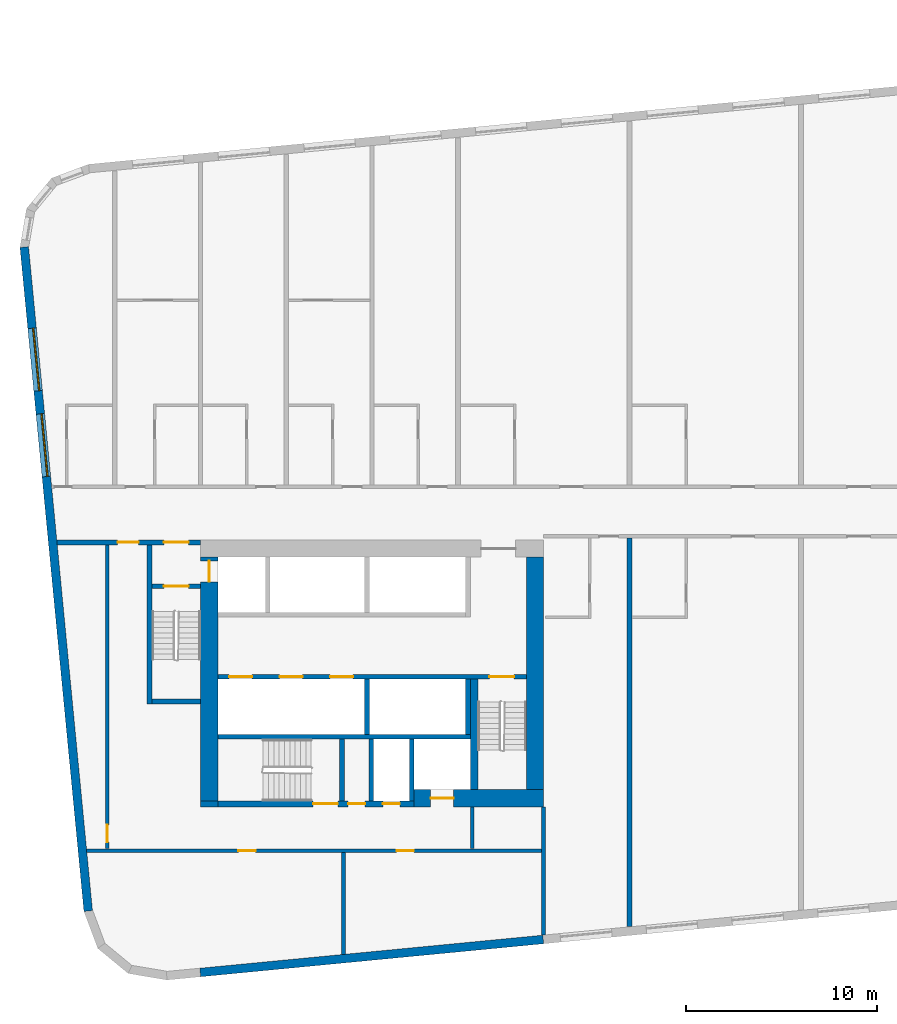
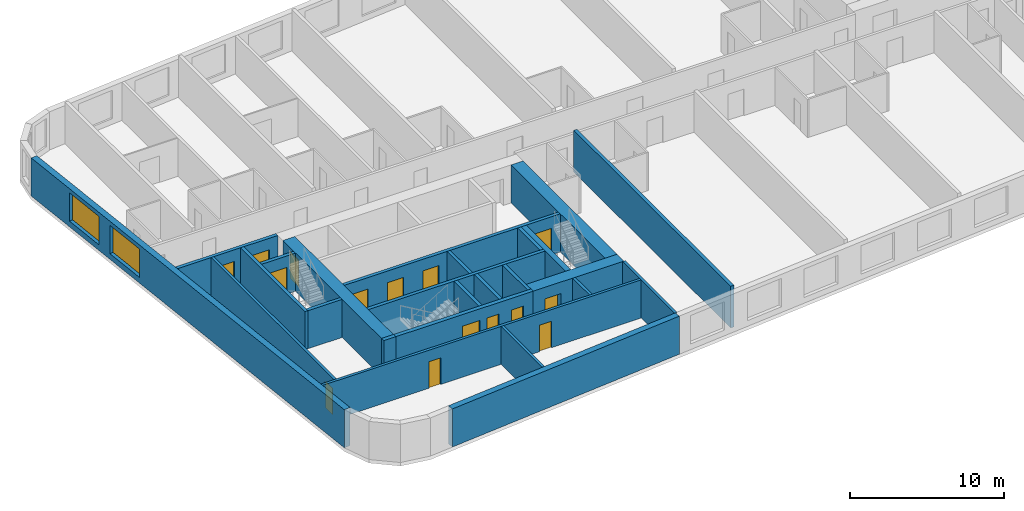
# One storey, part 2 of 12: 25 walls, 15 doors, 2 windows, 17 openings.
"""IFC4 building model written with IfcOpenShell, lengths in metres."""

from ifc_helpers import new_model, si_unit, direction, frame, frame_2d, origin, place, context, subcontext, project, spatial, rectangle, extrude, material, layer, layer_set, type_object, element, fill, save


model = new_model("IFC4")

# Units and contexts
model_context = context("Model", 3, precision=1e-05, world=origin(), true_north=direction((0.0, 1.0)))
body_context = subcontext(model_context, "Body", "Model", "MODEL_VIEW")
ifc_project = project(units=[si_unit("LENGTHUNIT", "METRE"), si_unit("AREAUNIT", "SQUARE_METRE"), si_unit("VOLUMEUNIT", "CUBIC_METRE"), si_unit("PLANEANGLEUNIT", "RADIAN"), si_unit("MASSUNIT", "GRAM", prefix="KILO")], contexts=[model_context])

# Site, building, storey
site_placement = place(None, origin())
site = spatial("IfcSite", under=ifc_project, at=site_placement, CompositionType="ELEMENT")
building_placement = place(site_placement, origin())
building = spatial("IfcBuilding", under=site, at=building_placement, Name="Kajstack Hotel Tower", CompositionType="ELEMENT")
storey_placement = place(building_placement, frame((0.0, 0.0, 124.0)))
storey = spatial("IfcBuildingStorey", under=building, at=storey_placement, Name="L27", CompositionType="ELEMENT", Elevation=124.0)

# Wall, opening, door
ifc_material_1 = material(Name="Concrete C60/75", Category="concrete")
ifc_layer_1 = layer(ifc_material_1, 0.89990234375)
ifc_layer_set_1 = layer_set([ifc_layer_1], Name="Core wall 900")
wall_type_1 = type_object("IfcWallType", Name="Core wall 900", PredefinedType="SHEAR", material=ifc_layer_set_1)
wall_1_placement = place(storey_placement, frame((-20.300048828125, -15.050048828125, 0.0), z_axis=(0.0, 0.0, 1.0), x_axis=(1.0, 0.0, 0.0)))
wall_1 = element("IfcWall", 1, at=wall_1_placement, inside=storey, type_object=wall_type_1, Name="Core wall W RS", PredefinedType="SHEAR", context=body_context, shape_type="SweptSolid", body=[
    extrude(rectangle(XDim=6.800048828125, YDim=0.89990234375, at=frame_2d((3.39990234375, 0.0))), origin(), (0.0, 0.0, 1.0), 3.02001953125),
])
opening_1_placement = place(wall_1_placement, frame((0.875, 0.0, 0.0)))
opening_1 = element("IfcOpeningElement", 2, at=opening_1_placement, cuts=wall_1, Name="Opening LD-SV1", PredefinedType="OPENING", context=body_context, shape_type="SweptSolid", body=[
    extrude(rectangle(XDim=1.199951171875, YDim=2.10009765625, at=frame_2d((0.60009765625, 1.050048828125))), frame((0.0, 0.4599609375, 0.0), z_axis=(0.0, -1.0, 0.0), x_axis=(1.0, 0.0, 0.0)), (0.0, 0.0, 1.0), 0.919921875),
])
ifc_material_2 = material(Name="Stainless steel", Category="steel")
door_type_1 = type_object("IfcDoorType", Name="Lift landing door 1200", OperationType="SLIDING_TO_LEFT", PredefinedType="DOOR", material=ifc_material_2)
door_1_placement = place(opening_1_placement, origin())
door_1 = element("IfcDoor", 3, at=door_1_placement, inside=storey, type_object=door_type_1, Name="Landing door SV1", OperationType="SLIDING_TO_LEFT", OverallHeight=2.10009765625, OverallWidth=1.199951171875, PredefinedType="DOOR", context=body_context, shape_type="SweptSolid", body=[
    extrude(rectangle(XDim=1.199951171875, YDim=2.10009765625, at=frame_2d((0.60009765625, 1.050048828125))), frame((0.0, 0.02490234375, 0.0), z_axis=(0.0, -1.0, 0.0), x_axis=(1.0, 0.0, 0.0)), (0.0, 0.0, 1.0), 0.050048828125),
])
fill(opening_1, door_1)

# Wall
wall_2_placement = place(storey_placement, frame((-31.5, -15.35009765625, 0.0), z_axis=(0.0, 0.0, 1.0), x_axis=(1.0, 0.0, 0.0)))
element("IfcWall", 4, at=wall_2_placement, inside=storey, type_object=wall_type_1, Name="Core wall W RSW", PredefinedType="SHEAR", context=body_context, shape_type="SweptSolid", body=[
    extrude(rectangle(XDim=0.89990234375, YDim=0.300048828125, at=frame_2d((0.449951171875, 0.0))), origin(), (0.0, 0.0, 1.0), 3.02001953125),
])

# Wall, opening, door
wall_3_placement = place(storey_placement, frame((-31.050048828125, -15.199951171875, 0.0), z_axis=(0.0, 0.0, 1.0), x_axis=(0.0, 1.0, 0.0)))
wall_3 = element("IfcWall", 5, at=wall_3_placement, inside=storey, type_object=wall_type_1, Name="Core wall W RW", PredefinedType="SHEAR", context=body_context, shape_type="SweptSolid", body=[
    extrude(rectangle(XDim=12.800048828125, YDim=0.89990234375, at=frame_2d((6.39990234375, 0.0))), origin(), (0.0, 0.0, 1.0), 3.02001953125),
])
opening_2_placement = place(wall_3_placement, frame((11.5, 0.0, 0.0)))
opening_2 = element("IfcOpeningElement", 6, at=opening_2_placement, cuts=wall_3, Name="Opening LD-FF1", PredefinedType="OPENING", context=body_context, shape_type="SweptSolid", body=[
    extrude(rectangle(XDim=1.10009765625, YDim=2.10009765625, at=frame_2d((0.550048828125, 1.050048828125))), frame((0.0, 0.4599609375, 0.0), z_axis=(0.0, -1.0, 0.0), x_axis=(1.0, 0.0, 0.0)), (0.0, 0.0, 1.0), 0.919921875),
])
door_type_2 = type_object("IfcDoorType", Name="Fire-fighting lift landing door 1100", OperationType="SLIDING_TO_LEFT", PredefinedType="DOOR", material=ifc_material_2)
door_2_placement = place(opening_2_placement, origin())
door_2 = element("IfcDoor", 7, at=door_2_placement, inside=storey, type_object=door_type_2, Name="Landing door FF1", OperationType="SLIDING_TO_RIGHT", OverallHeight=2.10009765625, OverallWidth=1.10009765625, PredefinedType="DOOR", context=body_context, shape_type="SweptSolid", body=[
    extrude(rectangle(XDim=1.10009765625, YDim=2.10009765625, at=frame_2d((0.550048828125, 1.050048828125))), frame((0.0, 0.02490234375, 0.0), z_axis=(0.0, -1.0, 0.0), x_axis=(1.0, 0.0, 0.0)), (0.0, 0.0, 1.0), 0.050048828125),
])
fill(opening_2, door_2)

# Walls
wall_4_placement = place(storey_placement, frame((-13.949951171875, -14.60009765625, 0.0), z_axis=(0.0, 0.0, 1.0), x_axis=(0.0, 1.0, 0.0)))
element("IfcWall", 8, at=wall_4_placement, inside=storey, type_object=wall_type_1, Name="Core wall W RE", PredefinedType="SHEAR", context=body_context, shape_type="SweptSolid", body=[
    extrude(rectangle(XDim=12.2001953125, YDim=0.89990234375, at=frame_2d((6.10009765625, 0.0))), origin(), (0.0, 0.0, 1.0), 3.02001953125),
])
ifc_material_3 = material(Name="Twin-frame gypsum board on steel studs, mineral wool", Category="steel")
ifc_layer_2 = layer(ifc_material_3, 0.199951171875)
ifc_layer_set_2 = layer_set([ifc_layer_2], Name="Demising wall 200")
wall_type_2 = type_object("IfcWallType", Name="Demising wall 200", PredefinedType="PARTITIONING", material=ifc_layer_set_2)
wall_5_placement = place(storey_placement, frame((-13.5, -22.23193359375, 0.0), z_axis=(0.0, 0.0, 1.0), x_axis=(0.0, 1.0, 0.0)))
element("IfcWall", 9, at=wall_5_placement, inside=storey, type_object=wall_type_2, Name="G-wall-L27-002", PredefinedType="PARTITIONING", context=body_context, shape_type="SweptSolid", body=[
    extrude(rectangle(XDim=6.73193359375, YDim=0.199951171875, at=frame_2d((3.365966796875, 0.0))), origin(), (0.0, 0.0, 1.0), 3.02001953125),
])
ifc_material_4 = material(Name="Concrete C40/50", Category="concrete")
ifc_layer_3 = layer(ifc_material_4, 0.449951171875)
ifc_layer_set_3 = layer_set([ifc_layer_3], Name="EW-CORE")
wall_type_3 = type_object("IfcWallType", Name="EW-CORE", PredefinedType="SOLIDWALL", material=ifc_layer_set_3)
wall_6_placement = place(storey_placement, frame((-31.521484375, -24.193603515625, 0.0), z_axis=(0.0, 0.0, 1.0), x_axis=(0.995396454615, 0.095843091245, 0.0)))
element("IfcWall", 10, at=wall_6_placement, inside=storey, type_object=wall_type_3, Name="E-wall-L27-04-01", PredefinedType="SOLIDWALL", context=body_context, shape_type="SweptSolid", body=[
    extrude(rectangle(XDim=18.083251953125, YDim=0.449951171875, at=frame_2d((9.04150390625, 0.0))), origin(), (0.0, 0.0, 1.0), 3.02001953125),
])

# Wall, openings, windows
ifc_material_5 = material(Name="Terracotta-faced brick masonry", Category="masonry")
ifc_layer_4 = layer(ifc_material_5, 0.449951171875)
ifc_layer_set_4 = layer_set([ifc_layer_4], Name="EW-TERRA")
wall_type_4 = type_object("IfcWallType", Name="EW-TERRA", PredefinedType="SOLIDWALL", material=ifc_layer_set_4)
wall_7_placement = place(storey_placement, frame((-40.7529296875, 13.87158203125, 0.0), z_axis=(0.0, 0.0, 1.0), x_axis=(0.095843327381, -0.995396431878, 0.0)))
wall_7 = element("IfcWall", 11, at=wall_7_placement, inside=storey, type_object=wall_type_4, Name="E-wall-L27-00-00", PredefinedType="SOLIDWALL", context=body_context, shape_type="SweptSolid", body=[
    extrude(rectangle(XDim=34.999755859375, YDim=0.449951171875, at=frame_2d((17.5, 0.0))), origin(), (0.0, 0.0, 1.0), 3.02001953125),
])
opening_3_placement = place(wall_7_placement, frame((4.27734375, 0.0, 0.449951171875)))
opening_3 = element("IfcOpeningElement", 12, at=opening_3_placement, cuts=wall_7, Name="Opening W2", PredefinedType="OPENING", context=body_context, shape_type="SweptSolid", body=[
    extrude(rectangle(XDim=3.300048828125, YDim=2.25, at=frame_2d((1.64990234375, 1.125))), frame((0.0, 0.23486328125, 0.0), z_axis=(0.0, -1.0, 0.0), x_axis=(1.0, 0.0, 0.0)), (0.0, 0.0, 1.0), 0.469970703125),
])
opening_4_placement = place(wall_7_placement, frame((8.798095703125, 0.0, 0.449951171875)))
opening_4 = element("IfcOpeningElement", 13, at=opening_4_placement, cuts=wall_7, Name="Opening W2", PredefinedType="OPENING", context=body_context, shape_type="SweptSolid", body=[
    extrude(rectangle(XDim=3.300048828125, YDim=2.25, at=frame_2d((1.64990234375, 1.125))), frame((0.0, 0.23486328125, 0.0), z_axis=(0.0, -1.0, 0.0), x_axis=(1.0, 0.0, 0.0)), (0.0, 0.0, 1.0), 0.469970703125),
])
ifc_material_6 = material(Name="Timber-aluminium window, triple glazed", Category="wood")
window_type = type_object("IfcWindowType", Name="WG2", PartitioningType="SINGLE_PANEL", PredefinedType="WINDOW", material=ifc_material_6)
window_1_placement = place(opening_3_placement, origin())
window_1 = element("IfcWindow", 14, at=window_1_placement, inside=storey, type_object=window_type, Name="Window W2 L27-00", OverallHeight=2.25, OverallWidth=3.300048828125, PartitioningType="SINGLE_PANEL", PredefinedType="WINDOW", context=body_context, shape_type="SweptSolid", body=[
    extrude(rectangle(XDim=3.300048828125, YDim=2.25, at=frame_2d((1.64990234375, 1.125))), frame((0.0, 0.090087890625, 0.0), z_axis=(0.0, -1.0, 0.0), x_axis=(1.0, 0.0, 0.0)), (0.0, 0.0, 1.0), 0.06005859375),
])
fill(opening_3, window_1)
window_2_placement = place(opening_4_placement, origin())
window_2 = element("IfcWindow", 15, at=window_2_placement, inside=storey, type_object=window_type, Name="Window W2 L27-00", OverallHeight=2.25, OverallWidth=3.300048828125, PartitioningType="SINGLE_PANEL", PredefinedType="WINDOW", context=body_context, shape_type="SweptSolid", body=[
    extrude(rectangle(XDim=3.300048828125, YDim=2.25, at=frame_2d((1.64990234375, 1.125))), frame((0.0, 0.090087890625, 0.0), z_axis=(0.0, -1.0, 0.0), x_axis=(1.0, 0.0, 0.0)), (0.0, 0.0, 1.0), 0.06005859375),
])
fill(opening_4, window_2)

# Walls
ifc_material_7 = material(Name="Concrete C50/60", Category="concrete")
ifc_layer_5 = layer(ifc_material_7, 0.300048828125)
ifc_layer_set_5 = layer_set([ifc_layer_5], Name="Hoistway divider wall 300")
wall_type_5 = type_object("IfcWallType", Name="Hoistway divider wall 300", PredefinedType="SHEAR", material=ifc_layer_set_5)
wall_8_placement = place(storey_placement, frame((-22.77490234375, -11.699951171875, 0.0), z_axis=(0.0, 0.0, 1.0), x_axis=(0.0, 1.0, 0.0)))
element("IfcWall", 16, at=wall_8_placement, inside=storey, type_object=wall_type_5, Name="Core wall W BP2", PredefinedType="SHEAR", context=body_context, shape_type="SweptSolid", body=[
    extrude(rectangle(XDim=2.89990234375, YDim=0.25, at=frame_2d((1.449951171875, 0.0))), origin(), (0.0, 0.0, 1.0), 3.02001953125),
])
ifc_material_8 = material(Name="Concrete C55/67", Category="concrete")
ifc_layer_6 = layer(ifc_material_8, 0.25)
ifc_layer_set_6 = layer_set([ifc_layer_6], Name="RC cross wall 250 C55/67")
wall_type_6 = type_object("IfcWallType", Name="RC cross wall 250 C55/67", PredefinedType="SHEAR", material=ifc_layer_set_6)
wall_9_placement = place(storey_placement, frame((-9.0, -21.777099609375, 0.0), z_axis=(0.0, 0.0, 1.0), x_axis=(0.0, 1.0, 0.0)))
element("IfcWall", 17, at=wall_9_placement, inside=storey, type_object=wall_type_6, Name="S-wall-L27-04", PredefinedType="SHEAR", context=body_context, shape_type="SweptSolid", body=[
    extrude(rectangle(XDim=20.377197265625, YDim=0.25, at=frame_2d((10.1884765625, 0.0))), origin(), (0.0, 0.0, 1.0), 3.300048828125),
])
ifc_material_9 = material(Name="Concrete block masonry", Category="masonry")
ifc_layer_7 = layer(ifc_material_9, 0.25)
ifc_layer_set_7 = layer_set([ifc_layer_7], Name="Riser partition 250")
wall_type_7 = type_object("IfcWallType", Name="Riser partition 250", PredefinedType="PARTITIONING", material=ifc_layer_set_7)
wall_10_placement = place(storey_placement, frame((-22.550048828125, -15.199951171875, 0.0), z_axis=(0.0, 0.0, 1.0), x_axis=(0.0, 1.0, 0.0)))
element("IfcWall", 18, at=wall_10_placement, inside=storey, type_object=wall_type_7, Name="Partition W SZ0", PredefinedType="PARTITIONING", context=body_context, shape_type="SweptSolid", body=[
    extrude(rectangle(XDim=3.25, YDim=0.25, at=frame_2d((1.625, 0.0))), origin(), (0.0, 0.0, 1.0), 3.02001953125),
])

# Wall, openings, doors
ifc_material_10 = material(Name="Gypsum board on steel studs, mineral wool", Category="steel")
ifc_layer_8 = layer(ifc_material_10, 0.199951171875)
ifc_layer_set_8 = layer_set([ifc_layer_8], Name="Service partition 200")
wall_type_8 = type_object("IfcWallType", Name="Service partition 200", PredefinedType="PARTITIONING", material=ifc_layer_set_8)
wall_11_placement = place(storey_placement, frame((-39.034912109375, -1.625, 0.0), z_axis=(0.0, 0.0, 1.0), x_axis=(1.0, 0.0, 0.0)))
wall_11 = element("IfcWall", 19, at=wall_11_placement, inside=storey, type_object=wall_type_8, Name="Partition W SN", PredefinedType="PARTITIONING", context=body_context, shape_type="SweptSolid", body=[
    extrude(rectangle(XDim=7.534912109375, YDim=0.25, at=frame_2d((3.767578125, 0.0))), origin(), (0.0, 0.0, 1.0), 3.02001953125),
])
opening_5_placement = place(wall_11_placement, frame((5.60986328125, 0.0, 0.0)))
opening_5 = element("IfcOpeningElement", 20, at=opening_5_placement, cuts=wall_11, Name="Opening 27W07", PredefinedType="OPENING", context=body_context, shape_type="SweptSolid", body=[
    extrude(rectangle(XDim=1.300048828125, YDim=2.10009765625, at=frame_2d((0.64990234375, 1.050048828125))), frame((0.0, 0.135009765625, 0.0), z_axis=(0.0, -1.0, 0.0), x_axis=(1.0, 0.0, 0.0)), (0.0, 0.0, 1.0), 0.27001953125),
])
opening_6_placement = place(wall_11_placement, frame((3.184814453125, 0.0, 0.0)))
opening_6 = element("IfcOpeningElement", 21, at=opening_6_placement, cuts=wall_11, Name="Opening 27W09", PredefinedType="OPENING", context=body_context, shape_type="SweptSolid", body=[
    extrude(rectangle(XDim=1.10009765625, YDim=2.10009765625, at=frame_2d((0.550048828125, 1.050048828125))), frame((0.0, 0.135009765625, 0.0), z_axis=(0.0, -1.0, 0.0), x_axis=(1.0, 0.0, 0.0)), (0.0, 0.0, 1.0), 0.27001953125),
])
ifc_material_11 = material(Name="Steel leaf, fire-rated", Category="steel")
door_type_3 = type_object("IfcDoorType", Name="Fire lobby door 1300", OperationType="SINGLE_SWING_LEFT", PredefinedType="DOOR", material=ifc_material_11)
door_3_placement = place(opening_5_placement, origin())
door_3 = element("IfcDoor", 22, at=door_3_placement, inside=storey, type_object=door_type_3, Name="Door 27W07", OperationType="SINGLE_SWING_RIGHT", OverallHeight=2.10009765625, OverallWidth=1.300048828125, PredefinedType="DOOR", context=body_context, shape_type="SweptSolid", body=[
    extrude(rectangle(XDim=1.300048828125, YDim=2.10009765625, at=frame_2d((0.64990234375, 1.050048828125))), frame((0.0, 0.02490234375, 0.0), z_axis=(0.0, -1.0, 0.0), x_axis=(1.0, 0.0, 0.0)), (0.0, 0.0, 1.0), 0.050048828125),
])
fill(opening_5, door_3)
ifc_material_12 = material(Name="Timber leaf, fire-rated", Category="wood")
door_type_4 = type_object("IfcDoorType", Name="Service corridor door 1100", OperationType="SINGLE_SWING_LEFT", PredefinedType="DOOR", material=ifc_material_12)
door_4_placement = place(opening_6_placement, origin())
door_4 = element("IfcDoor", 23, at=door_4_placement, inside=storey, type_object=door_type_4, Name="Door 27W09", OperationType="SINGLE_SWING_RIGHT", OverallHeight=2.10009765625, OverallWidth=1.10009765625, PredefinedType="DOOR", context=body_context, shape_type="SweptSolid", body=[
    extrude(rectangle(XDim=1.10009765625, YDim=2.10009765625, at=frame_2d((0.550048828125, 1.050048828125))), frame((0.0, 0.02490234375, 0.0), z_axis=(0.0, -1.0, 0.0), x_axis=(1.0, 0.0, 0.0)), (0.0, 0.0, 1.0), 0.050048828125),
])
fill(opening_6, door_4)

# Wall
wall_12_placement = place(storey_placement, frame((-17.25, -17.699951171875, 0.0), z_axis=(0.0, 0.0, 1.0), x_axis=(0.0, 1.0, 0.0)))
element("IfcWall", 24, at=wall_12_placement, inside=storey, type_object=wall_type_8, Name="Partition W SCE", PredefinedType="PARTITIONING", context=body_context, shape_type="SweptSolid", body=[
    extrude(rectangle(XDim=2.199951171875, YDim=0.199951171875, at=frame_2d((1.10009765625, 0.0))), origin(), (0.0, 0.0, 1.0), 3.02001953125),
])

# Wall, opening, door
wall_13_placement = place(storey_placement, frame((-36.39990234375, -17.699951171875, 0.0), z_axis=(0.0, 0.0, 1.0), x_axis=(0.0, 1.0, 0.0)))
wall_13 = element("IfcWall", 25, at=wall_13_placement, inside=storey, type_object=wall_type_8, Name="Partition W WRE", PredefinedType="PARTITIONING", context=body_context, shape_type="SweptSolid", body=[
    extrude(rectangle(XDim=15.949951171875, YDim=0.199951171875, at=frame_2d((7.97509765625, 0.0))), origin(), (0.0, 0.0, 1.0), 3.02001953125),
])
opening_7_placement = place(wall_13_placement, frame((0.35009765625, 0.0, 0.0)))
opening_7 = element("IfcOpeningElement", 26, at=opening_7_placement, cuts=wall_13, Name="Opening 27W16", PredefinedType="OPENING", context=body_context, shape_type="SweptSolid", body=[
    extrude(rectangle(XDim=0.89990234375, YDim=2.10009765625, at=frame_2d((0.449951171875, 1.050048828125))), frame((0.0, 0.10986328125, 0.0), z_axis=(0.0, -1.0, 0.0), x_axis=(1.0, 0.0, 0.0)), (0.0, 0.0, 1.0), 0.219970703125),
])
door_type_5 = type_object("IfcDoorType", Name="Service door 900", OperationType="SINGLE_SWING_LEFT", PredefinedType="DOOR", material=ifc_material_12)
door_5_placement = place(opening_7_placement, origin())
door_5 = element("IfcDoor", 27, at=door_5_placement, inside=storey, type_object=door_type_5, Name="Door 27W16", OperationType="SINGLE_SWING_LEFT", OverallHeight=2.10009765625, OverallWidth=0.89990234375, PredefinedType="DOOR", context=body_context, shape_type="SweptSolid", body=[
    extrude(rectangle(XDim=0.89990234375, YDim=2.10009765625, at=frame_2d((0.449951171875, 1.050048828125))), frame((0.0, 0.02490234375, 0.0), z_axis=(0.0, -1.0, 0.0), x_axis=(1.0, 0.0, 0.0)), (0.0, 0.0, 1.0), 0.050048828125),
])
fill(opening_7, door_5)

# Wall, openings, doors
wall_14_placement = place(storey_placement, frame((-37.477294921875, -17.800048828125, 0.0), z_axis=(0.0, 0.0, 1.0), x_axis=(1.0, 0.0, 0.0)))
wall_14 = element("IfcWall", 28, at=wall_14_placement, inside=storey, type_object=wall_type_8, Name="Partition W SLN", PredefinedType="PARTITIONING", context=body_context, shape_type="SweptSolid", body=[
    extrude(rectangle(XDim=23.877197265625, YDim=0.199951171875, at=frame_2d((11.9384765625, 0.0))), origin(), (0.0, 0.0, 1.0), 3.02001953125),
])
opening_8_placement = place(wall_14_placement, frame((7.96484375, 0.0, 0.0)))
opening_8 = element("IfcOpeningElement", 29, at=opening_8_placement, cuts=wall_14, Name="Opening 27W14", PredefinedType="OPENING", context=body_context, shape_type="SweptSolid", body=[
    extrude(rectangle(XDim=0.89990234375, YDim=2.10009765625, at=frame_2d((0.449951171875, 1.050048828125))), frame((0.0, 0.10986328125, 0.0), z_axis=(0.0, -1.0, 0.0), x_axis=(1.0, 0.0, 0.0)), (0.0, 0.0, 1.0), 0.219970703125),
])
opening_9_placement = place(wall_14_placement, frame((16.264892578125, 0.0, 0.0)))
opening_9 = element("IfcOpeningElement", 30, at=opening_9_placement, cuts=wall_14, Name="Opening 27W15", PredefinedType="OPENING", context=body_context, shape_type="SweptSolid", body=[
    extrude(rectangle(XDim=0.89990234375, YDim=2.10009765625, at=frame_2d((0.449951171875, 1.050048828125))), frame((0.0, 0.10986328125, 0.0), z_axis=(0.0, -1.0, 0.0), x_axis=(1.0, 0.0, 0.0)), (0.0, 0.0, 1.0), 0.219970703125),
])
door_6_placement = place(opening_8_placement, origin())
door_6 = element("IfcDoor", 31, at=door_6_placement, inside=storey, type_object=door_type_5, Name="Door 27W14", OperationType="SINGLE_SWING_RIGHT", OverallHeight=2.10009765625, OverallWidth=0.89990234375, PredefinedType="DOOR", context=body_context, shape_type="SweptSolid", body=[
    extrude(rectangle(XDim=0.89990234375, YDim=2.10009765625, at=frame_2d((0.449951171875, 1.050048828125))), frame((0.0, 0.02490234375, 0.0), z_axis=(0.0, -1.0, 0.0), x_axis=(1.0, 0.0, 0.0)), (0.0, 0.0, 1.0), 0.050048828125),
])
fill(opening_8, door_6)
door_7_placement = place(opening_9_placement, origin())
door_7 = element("IfcDoor", 32, at=door_7_placement, inside=storey, type_object=door_type_5, Name="Door 27W15", OperationType="SINGLE_SWING_RIGHT", OverallHeight=2.10009765625, OverallWidth=0.89990234375, PredefinedType="DOOR", context=body_context, shape_type="SweptSolid", body=[
    extrude(rectangle(XDim=0.89990234375, YDim=2.10009765625, at=frame_2d((0.449951171875, 1.050048828125))), frame((0.0, 0.02490234375, 0.0), z_axis=(0.0, -1.0, 0.0), x_axis=(1.0, 0.0, 0.0)), (0.0, 0.0, 1.0), 0.050048828125),
])
fill(opening_9, door_7)

# Wall
wall_15_placement = place(storey_placement, frame((-24.0, -23.244384765625, 0.0), z_axis=(0.0, 0.0, 1.0), x_axis=(0.0, 1.0, 0.0)))
element("IfcWall", 33, at=wall_15_placement, inside=storey, type_object=wall_type_8, Name="Partition W SLP0", PredefinedType="PARTITIONING", context=body_context, shape_type="SweptSolid", body=[
    extrude(rectangle(XDim=5.344482421875, YDim=0.199951171875, at=frame_2d((2.67236328125, 0.0))), origin(), (0.0, 0.0, 1.0), 3.02001953125),
])

# Wall, openings, doors
ifc_layer_9 = layer(ifc_material_7, 0.25)
ifc_layer_set_9 = layer_set([ifc_layer_9], Name="Shaft wall 250")
wall_type_9 = type_object("IfcWallType", Name="Shaft wall 250", PredefinedType="SHEAR", material=ifc_layer_set_9)
wall_16_placement = place(storey_placement, frame((-30.60009765625, -15.35009765625, 0.0), z_axis=(0.0, 0.0, 1.0), x_axis=(1.0, 0.0, 0.0)))
wall_16 = element("IfcWall", 34, at=wall_16_placement, inside=storey, type_object=wall_type_9, Name="Core wall W RSS", PredefinedType="SHEAR", context=body_context, shape_type="SweptSolid", body=[
    extrude(rectangle(XDim=10.300048828125, YDim=0.300048828125, at=frame_2d((5.14990234375, 0.0))), origin(), (0.0, 0.0, 1.0), 3.02001953125),
])
opening_10_placement = place(wall_16_placement, frame((5.0, 0.0, 0.0)))
opening_10 = element("IfcOpeningElement", 35, at=opening_10_placement, cuts=wall_16, Name="Opening 27W11", PredefinedType="OPENING", context=body_context, shape_type="SweptSolid", body=[
    extrude(rectangle(XDim=1.300048828125, YDim=2.10009765625, at=frame_2d((0.64990234375, 1.050048828125))), frame((0.0, 0.159912109375, 0.0), z_axis=(0.0, -1.0, 0.0), x_axis=(1.0, 0.0, 0.0)), (0.0, 0.0, 1.0), 0.320068359375),
])
opening_11_placement = place(wall_16_placement, frame((6.83740234375, 0.0, 0.0)))
opening_11 = element("IfcOpeningElement", 36, at=opening_11_placement, cuts=wall_16, Name="Opening 27W12", PredefinedType="OPENING", context=body_context, shape_type="SweptSolid", body=[
    extrude(rectangle(XDim=0.89990234375, YDim=2.10009765625, at=frame_2d((0.449951171875, 1.050048828125))), frame((0.0, 0.159912109375, 0.0), z_axis=(0.0, -1.0, 0.0), x_axis=(1.0, 0.0, 0.0)), (0.0, 0.0, 1.0), 0.320068359375),
])
opening_12_placement = place(wall_16_placement, frame((8.66259765625, 0.0, 0.0)))
opening_12 = element("IfcOpeningElement", 37, at=opening_12_placement, cuts=wall_16, Name="Opening 27W13", PredefinedType="OPENING", context=body_context, shape_type="SweptSolid", body=[
    extrude(rectangle(XDim=0.89990234375, YDim=2.10009765625, at=frame_2d((0.449951171875, 1.050048828125))), frame((0.0, 0.159912109375, 0.0), z_axis=(0.0, -1.0, 0.0), x_axis=(1.0, 0.0, 0.0)), (0.0, 0.0, 1.0), 0.320068359375),
])
door_type_6 = type_object("IfcDoorType", Name="Riser door 900", OperationType="SINGLE_SWING_LEFT", PredefinedType="DOOR", material=ifc_material_11)
door_8_placement = place(opening_12_placement, origin())
door_8 = element("IfcDoor", 38, at=door_8_placement, inside=storey, type_object=door_type_6, Name="Door 27W13", OperationType="SINGLE_SWING_LEFT", OverallHeight=2.10009765625, OverallWidth=0.89990234375, PredefinedType="DOOR", context=body_context, shape_type="SweptSolid", body=[
    extrude(rectangle(XDim=0.89990234375, YDim=2.10009765625, at=frame_2d((0.449951171875, 1.050048828125))), frame((0.0, 0.02490234375, 0.0), z_axis=(0.0, -1.0, 0.0), x_axis=(1.0, 0.0, 0.0)), (0.0, 0.0, 1.0), 0.050048828125),
])
fill(opening_12, door_8)
door_9_placement = place(opening_11_placement, origin())
door_9 = element("IfcDoor", 39, at=door_9_placement, inside=storey, type_object=door_type_5, Name="Door 27W12", OperationType="SINGLE_SWING_LEFT", OverallHeight=2.10009765625, OverallWidth=0.89990234375, PredefinedType="DOOR", context=body_context, shape_type="SweptSolid", body=[
    extrude(rectangle(XDim=0.89990234375, YDim=2.10009765625, at=frame_2d((0.449951171875, 1.050048828125))), frame((0.0, 0.02490234375, 0.0), z_axis=(0.0, -1.0, 0.0), x_axis=(1.0, 0.0, 0.0)), (0.0, 0.0, 1.0), 0.050048828125),
])
fill(opening_11, door_9)
door_type_7 = type_object("IfcDoorType", Name="Stair door 1300", OperationType="SINGLE_SWING_LEFT", PredefinedType="DOOR", material=ifc_material_11)
door_10_placement = place(opening_10_placement, origin())
door_10 = element("IfcDoor", 40, at=door_10_placement, inside=storey, type_object=door_type_7, Name="Door 27W11", OperationType="SINGLE_SWING_RIGHT", OverallHeight=2.10009765625, OverallWidth=1.300048828125, PredefinedType="DOOR", context=body_context, shape_type="SweptSolid", body=[
    extrude(rectangle(XDim=1.300048828125, YDim=2.10009765625, at=frame_2d((0.64990234375, 1.050048828125))), frame((0.0, 0.02490234375, 0.0), z_axis=(0.0, -1.0, 0.0), x_axis=(1.0, 0.0, 0.0)), (0.0, 0.0, 1.0), 0.050048828125),
])
fill(opening_10, door_10)

wall_17_placement = place(storey_placement, frame((-30.60009765625, -8.675048828125, 0.0), z_axis=(0.0, 0.0, 1.0), x_axis=(1.0, 0.0, 0.0)))
wall_17 = element("IfcWall", 41, at=wall_17_placement, inside=storey, type_object=wall_type_9, Name="Core wall W FB", PredefinedType="SHEAR", context=body_context, shape_type="SweptSolid", body=[
    extrude(rectangle(XDim=16.2001953125, YDim=0.25, at=frame_2d((8.10009765625, 0.0))), origin(), (0.0, 0.0, 1.0), 3.02001953125),
])
opening_13_placement = place(wall_17_placement, frame((0.60009765625, 0.0, 0.0)))
opening_13 = element("IfcOpeningElement", 42, at=opening_13_placement, cuts=wall_17, Name="Opening LD-LR1", PredefinedType="OPENING", context=body_context, shape_type="SweptSolid", body=[
    extrude(rectangle(XDim=1.199951171875, YDim=2.10009765625, at=frame_2d((0.60009765625, 1.050048828125))), frame((0.0, 0.135009765625, 0.0), z_axis=(0.0, -1.0, 0.0), x_axis=(1.0, 0.0, 0.0)), (0.0, 0.0, 1.0), 0.27001953125),
])
opening_14_placement = place(wall_17_placement, frame((3.25, 0.0, 0.0)))
opening_14 = element("IfcOpeningElement", 43, at=opening_14_placement, cuts=wall_17, Name="Opening LD-LR2", PredefinedType="OPENING", context=body_context, shape_type="SweptSolid", body=[
    extrude(rectangle(XDim=1.199951171875, YDim=2.10009765625, at=frame_2d((0.60009765625, 1.050048828125))), frame((0.0, 0.135009765625, 0.0), z_axis=(0.0, -1.0, 0.0), x_axis=(1.0, 0.0, 0.0)), (0.0, 0.0, 1.0), 0.27001953125),
])
opening_15_placement = place(wall_17_placement, frame((5.89990234375, 0.0, 0.0)))
opening_15 = element("IfcOpeningElement", 44, at=opening_15_placement, cuts=wall_17, Name="Opening LD-LR3", PredefinedType="OPENING", context=body_context, shape_type="SweptSolid", body=[
    extrude(rectangle(XDim=1.199951171875, YDim=2.10009765625, at=frame_2d((0.60009765625, 1.050048828125))), frame((0.0, 0.135009765625, 0.0), z_axis=(0.0, -1.0, 0.0), x_axis=(1.0, 0.0, 0.0)), (0.0, 0.0, 1.0), 0.27001953125),
])
opening_16_placement = place(wall_17_placement, frame((14.25, 0.0, 0.0)))
opening_16 = element("IfcOpeningElement", 45, at=opening_16_placement, cuts=wall_17, Name="Opening 27W10", PredefinedType="OPENING", context=body_context, shape_type="SweptSolid", body=[
    extrude(rectangle(XDim=1.300048828125, YDim=2.10009765625, at=frame_2d((0.64990234375, 1.050048828125))), frame((0.0, 0.135009765625, 0.0), z_axis=(0.0, -1.0, 0.0), x_axis=(1.0, 0.0, 0.0)), (0.0, 0.0, 1.0), 0.27001953125),
])
door_11_placement = place(opening_13_placement, origin())
door_11 = element("IfcDoor", 46, at=door_11_placement, inside=storey, type_object=door_type_1, Name="Landing door LR1", OperationType="SLIDING_TO_LEFT", OverallHeight=2.10009765625, OverallWidth=1.199951171875, PredefinedType="DOOR", context=body_context, shape_type="SweptSolid", body=[
    extrude(rectangle(XDim=1.199951171875, YDim=2.10009765625, at=frame_2d((0.60009765625, 1.050048828125))), frame((0.0, 0.02490234375, 0.0), z_axis=(0.0, -1.0, 0.0), x_axis=(1.0, 0.0, 0.0)), (0.0, 0.0, 1.0), 0.050048828125),
])
fill(opening_13, door_11)
door_12_placement = place(opening_14_placement, origin())
door_12 = element("IfcDoor", 47, at=door_12_placement, inside=storey, type_object=door_type_1, Name="Landing door LR2", OperationType="SLIDING_TO_RIGHT", OverallHeight=2.10009765625, OverallWidth=1.199951171875, PredefinedType="DOOR", context=body_context, shape_type="SweptSolid", body=[
    extrude(rectangle(XDim=1.199951171875, YDim=2.10009765625, at=frame_2d((0.60009765625, 1.050048828125))), frame((0.0, 0.02490234375, 0.0), z_axis=(0.0, -1.0, 0.0), x_axis=(1.0, 0.0, 0.0)), (0.0, 0.0, 1.0), 0.050048828125),
])
fill(opening_14, door_12)
door_13_placement = place(opening_15_placement, origin())
door_13 = element("IfcDoor", 48, at=door_13_placement, inside=storey, type_object=door_type_1, Name="Landing door LR3", OperationType="SLIDING_TO_RIGHT", OverallHeight=2.10009765625, OverallWidth=1.199951171875, PredefinedType="DOOR", context=body_context, shape_type="SweptSolid", body=[
    extrude(rectangle(XDim=1.199951171875, YDim=2.10009765625, at=frame_2d((0.60009765625, 1.050048828125))), frame((0.0, 0.02490234375, 0.0), z_axis=(0.0, -1.0, 0.0), x_axis=(1.0, 0.0, 0.0)), (0.0, 0.0, 1.0), 0.050048828125),
])
fill(opening_15, door_13)
door_14_placement = place(opening_16_placement, origin())
door_14 = element("IfcDoor", 49, at=door_14_placement, inside=storey, type_object=door_type_7, Name="Door 27W10", OperationType="SINGLE_SWING_RIGHT", OverallHeight=2.10009765625, OverallWidth=1.300048828125, PredefinedType="DOOR", context=body_context, shape_type="SweptSolid", body=[
    extrude(rectangle(XDim=1.300048828125, YDim=2.10009765625, at=frame_2d((0.64990234375, 1.050048828125))), frame((0.0, 0.02490234375, 0.0), z_axis=(0.0, -1.0, 0.0), x_axis=(1.0, 0.0, 0.0)), (0.0, 0.0, 1.0), 0.050048828125),
])
fill(opening_16, door_14)

# Walls
wall_18_placement = place(storey_placement, frame((-30.60009765625, -11.824951171875, 0.0), z_axis=(0.0, 0.0, 1.0), x_axis=(1.0, 0.0, 0.0)))
element("IfcWall", 50, at=wall_18_placement, inside=storey, type_object=wall_type_9, Name="Core wall W RB", PredefinedType="SHEAR", context=body_context, shape_type="SweptSolid", body=[
    extrude(rectangle(XDim=13.25, YDim=0.25, at=frame_2d((6.625, 0.0))), origin(), (0.0, 0.0, 1.0), 3.02001953125),
])
wall_19_placement = place(storey_placement, frame((-17.47509765625, -11.699951171875, 0.0), z_axis=(0.0, 0.0, 1.0), x_axis=(0.0, 1.0, 0.0)))
element("IfcWall", 51, at=wall_19_placement, inside=storey, type_object=wall_type_9, Name="Core wall W BE", PredefinedType="SHEAR", context=body_context, shape_type="SweptSolid", body=[
    extrude(rectangle(XDim=2.89990234375, YDim=0.25, at=frame_2d((1.449951171875, 0.0))), origin(), (0.0, 0.0, 1.0), 3.02001953125),
])
wall_20_placement = place(storey_placement, frame((-20.425048828125, -15.199951171875, 0.0), z_axis=(0.0, 0.0, 1.0), x_axis=(0.0, 1.0, 0.0)))
element("IfcWall", 52, at=wall_20_placement, inside=storey, type_object=wall_type_9, Name="Core wall W SVW", PredefinedType="SHEAR", context=body_context, shape_type="SweptSolid", body=[
    extrude(rectangle(XDim=3.25, YDim=0.25, at=frame_2d((1.625, 0.0))), origin(), (0.0, 0.0, 1.0), 3.02001953125),
])

# Wall, opening, door
ifc_layer_10 = layer(ifc_material_4, 0.25)
ifc_layer_set_10 = layer_set([ifc_layer_10], Name="Stair enclosure wall 250")
wall_type_10 = type_object("IfcWallType", Name="Stair enclosure wall 250", PredefinedType="SHEAR", material=ifc_layer_set_10)
wall_21_placement = place(storey_placement, frame((-34.050048828125, -3.925048828125, 0.0), z_axis=(0.0, 0.0, 1.0), x_axis=(1.0, 0.0, 0.0)))
wall_21 = element("IfcWall", 53, at=wall_21_placement, inside=storey, type_object=wall_type_10, Name="Core wall W W1N", PredefinedType="SHEAR", context=body_context, shape_type="SweptSolid", body=[
    extrude(rectangle(XDim=2.550048828125, YDim=0.25, at=frame_2d((1.27490234375, 0.0))), origin(), (0.0, 0.0, 1.0), 3.02001953125),
])
opening_17_placement = place(wall_21_placement, frame((0.625, 0.0, 0.0)))
opening_17 = element("IfcOpeningElement", 54, at=opening_17_placement, cuts=wall_21, Name="Opening 27W08", PredefinedType="OPENING", context=body_context, shape_type="SweptSolid", body=[
    extrude(rectangle(XDim=1.300048828125, YDim=2.10009765625, at=frame_2d((0.64990234375, 1.050048828125))), frame((0.0, 0.135009765625, 0.0), z_axis=(0.0, -1.0, 0.0), x_axis=(1.0, 0.0, 0.0)), (0.0, 0.0, 1.0), 0.27001953125),
])
door_15_placement = place(opening_17_placement, origin())
door_15 = element("IfcDoor", 55, at=door_15_placement, inside=storey, type_object=door_type_7, Name="Door 27W08", OperationType="SINGLE_SWING_RIGHT", OverallHeight=2.10009765625, OverallWidth=1.300048828125, PredefinedType="DOOR", context=body_context, shape_type="SweptSolid", body=[
    extrude(rectangle(XDim=1.300048828125, YDim=2.10009765625, at=frame_2d((0.64990234375, 1.050048828125))), frame((0.0, 0.02490234375, 0.0), z_axis=(0.0, -1.0, 0.0), x_axis=(1.0, 0.0, 0.0)), (0.0, 0.0, 1.0), 0.050048828125),
])
fill(opening_17, door_15)

# Walls
wall_22_placement = place(storey_placement, frame((-34.175048828125, -10.10009765625, 0.0), z_axis=(0.0, 0.0, 1.0), x_axis=(0.0, 1.0, 0.0)))
element("IfcWall", 56, at=wall_22_placement, inside=storey, type_object=wall_type_10, Name="Core wall W W1W", PredefinedType="SHEAR", context=body_context, shape_type="SweptSolid", body=[
    extrude(rectangle(XDim=8.35009765625, YDim=0.25, at=frame_2d((4.175048828125, 0.0))), origin(), (0.0, 0.0, 1.0), 3.02001953125),
])
wall_23_placement = place(storey_placement, frame((-34.050048828125, -9.97509765625, 0.0), z_axis=(0.0, 0.0, 1.0), x_axis=(1.0, 0.0, 0.0)))
element("IfcWall", 57, at=wall_23_placement, inside=storey, type_object=wall_type_10, Name="Core wall W W1S", PredefinedType="SHEAR", context=body_context, shape_type="SweptSolid", body=[
    extrude(rectangle(XDim=2.550048828125, YDim=0.25, at=frame_2d((1.27490234375, 0.0))), origin(), (0.0, 0.0, 1.0), 3.02001953125),
])
ifc_layer_11 = layer(ifc_material_7, 0.35009765625)
ifc_layer_set_11 = layer_set([ifc_layer_11], Name="Stair enclosure wall 350")
wall_type_11 = type_object("IfcWallType", Name="Stair enclosure wall 350", PredefinedType="SHEAR", material=ifc_layer_set_11)
wall_24_placement = place(storey_placement, frame((-24.074951171875, -15.199951171875, 0.0), z_axis=(0.0, 0.0, 1.0), x_axis=(0.0, 1.0, 0.0)))
element("IfcWall", 58, at=wall_24_placement, inside=storey, type_object=wall_type_11, Name="Core wall W W3E", PredefinedType="SHEAR", context=body_context, shape_type="SweptSolid", body=[
    extrude(rectangle(XDim=3.25, YDim=0.25, at=frame_2d((1.625, 0.0))), origin(), (0.0, 0.0, 1.0), 3.02001953125),
])
ifc_layer_12 = layer(ifc_material_7, 0.39990234375)
ifc_layer_set_12 = layer_set([ifc_layer_12], Name="Stair wall 400")
wall_type_12 = type_object("IfcWallType", Name="Stair wall 400", PredefinedType="SHEAR", material=ifc_layer_set_12)
wall_25_placement = place(storey_placement, frame((-17.14990234375, -14.60009765625, 0.0), z_axis=(0.0, 0.0, 1.0), x_axis=(0.0, 1.0, 0.0)))
element("IfcWall", 59, at=wall_25_placement, inside=storey, type_object=wall_type_12, Name="Core wall W WW2", PredefinedType="SHEAR", context=body_context, shape_type="SweptSolid", body=[
    extrude(rectangle(XDim=5.800048828125, YDim=0.39990234375, at=frame_2d((2.89990234375, 0.0))), origin(), (0.0, 0.0, 1.0), 3.02001953125),
])

save(model, "model.ifc")
